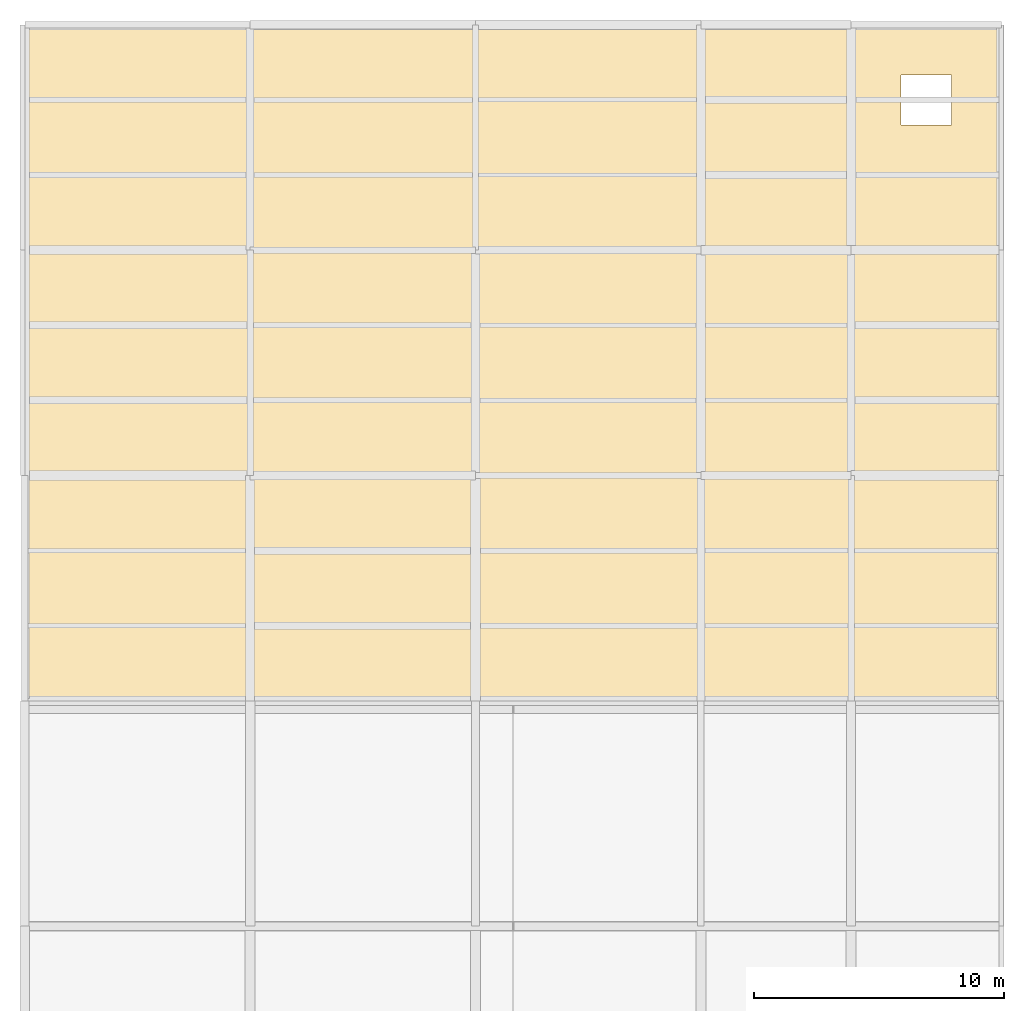
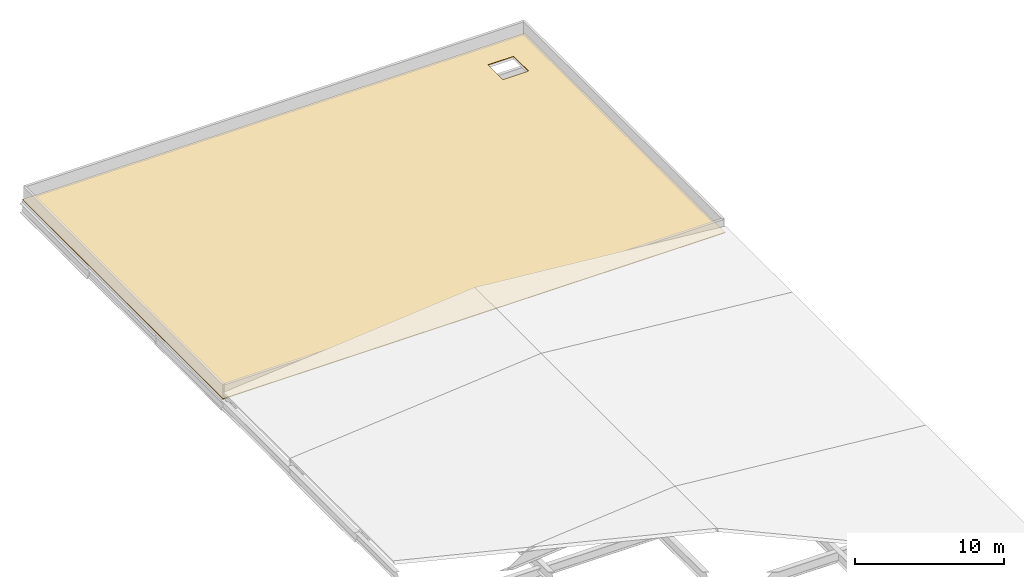
# One storey, part 3 of 3: 1 covering.
"""IFC4 building model written with IfcOpenShell, lengths in metres."""

import ifcopenshell
import ifcopenshell.guid

model = None  # the IFC model being written
_history = None  # IfcOwnerHistory: only IFC2X3 demands one
_inside = {}  # id of a spatial element -> (the spatial element, [elements in it])
_under = {}  # id of a project, library or spatial element -> (it, [spatial elements below it])
_declared = {}  # id of a project -> (the project, [libraries it declares])
_typed = {}  # id of a type object -> (the type object, [elements of that type])
_made_of = {}  # id of a material, layer set ... -> (it, [elements and type objects made of it])


def new_model(schema):
    """Start an empty IFC model of exactly this schema.

    Asked for "IFC4X3", IfcOpenShell would pick the latest addendum, in which some entities
    have other attributes; the version numbers below select the first issue.
    IFC2X3 requires an IfcOwnerHistory on every rooted entity: one is made here for all.
    """
    global model, _history
    if schema == "IFC4X3":
        model = ifcopenshell.file(schema_version=(4, 3, 0, 0))
    else:
        model = ifcopenshell.file(schema=schema)
    _inside.clear()
    _under.clear()
    _declared.clear()
    _typed.clear()
    _made_of.clear()
    _history = None
    if model.schema == "IFC2X3":
        org = make("IfcOrganization", Name="unknown")
        user = make(
            "IfcPersonAndOrganization",
            ThePerson=make("IfcPerson", FamilyName="unknown"),
            TheOrganization=org,
        )
        app = make(
            "IfcApplication",
            ApplicationDeveloper=org,
            Version="unknown",
            ApplicationFullName="unknown",
            ApplicationIdentifier="unknown",
        )
        _history = make(
            "IfcOwnerHistory",
            OwningUser=user,
            OwningApplication=app,
            ChangeAction="ADDED",
            CreationDate=0,
        )
    return model


def make(cls, **values):
    """One entity of the class cls with the attributes given. An attribute that is None is left unset."""
    return model.create_entity(
        cls, **{name: value for name, value in values.items() if value is not None}
    )


def rooted(cls, **values):
    """An entity with a GlobalId (a new one), such as an element, a storey or a relation."""
    return make(cls, GlobalId=ifcopenshell.guid.new(), OwnerHistory=_history, **values)


def si_unit(unit_type, name, prefix=None):
    """IfcSIUnit, for example si_unit("LENGTHUNIT", "METRE", prefix="MILLI")."""
    return make("IfcSIUnit", UnitType=unit_type, Prefix=prefix, Name=name)


def assignment(units):
    """IfcUnitAssignment: the units of a project."""
    return None if units is None else make("IfcUnitAssignment", Units=units)


def point(xyz):
    """IfcCartesianPoint."""
    return None if xyz is None else make("IfcCartesianPoint", Coordinates=xyz)


def direction(xyz):
    """IfcDirection."""
    return None if xyz is None else make("IfcDirection", DirectionRatios=xyz)


def frame(location, z_axis=None, x_axis=None):
    """IfcAxis2Placement3D, a coordinate frame: its origin and axes. An axis left out is left unset."""
    return make(
        "IfcAxis2Placement3D",
        Location=point(location),
        Axis=direction(z_axis),
        RefDirection=direction(x_axis),
    )


def origin():
    """The frame at (0, 0, 0) with its axes left unset."""
    return frame((0.0, 0.0, 0.0))


def place(relative_to, where):
    """IfcLocalPlacement: puts the frame where relative to a parent placement (None: the world)."""
    return make(
        "IfcLocalPlacement", PlacementRelTo=relative_to, RelativePlacement=where
    )


def context(
    kind, dimensions, precision=None, world=None, true_north=None, identifier=None
):
    """IfcGeometricRepresentationContext, for example the 3D "Model" context."""
    return make(
        "IfcGeometricRepresentationContext",
        ContextIdentifier=identifier,
        ContextType=kind,
        CoordinateSpaceDimension=dimensions,
        Precision=precision,
        WorldCoordinateSystem=world,
        TrueNorth=true_north,
    )


def subcontext(parent, identifier, kind, view, scale=None):
    """IfcGeometricRepresentationSubContext, for example "Body" below "Model"."""
    return make(
        "IfcGeometricRepresentationSubContext",
        ContextIdentifier=identifier,
        ContextType=kind,
        ParentContext=parent,
        TargetScale=scale,
        TargetView=view,
    )


def project(units=None, contexts=None):
    """IfcProject with its units and contexts."""
    return rooted(
        "IfcProject",
        Name="project",
        RepresentationContexts=contexts,
        UnitsInContext=assignment(units),
    )


def spatial(cls, under=None, at=None, **own):
    """A site, building, storey or space (cls), placed at a placement, below another one or the project."""
    s = rooted(cls, ObjectPlacement=at, **own)
    if under is not None:
        _under.setdefault(under.id(), (under, []))[1].append(s)
    return s


def polyline(points):
    """IfcPolyline through the points."""
    return make("IfcPolyline", Points=[point(p) for p in points])


def outline(outer, holes=None, kind="AREA"):
    """IfcArbitraryClosedProfileDef: a profile drawn as a closed curve; with holes, ...WithVoids."""
    if holes is None:
        return make("IfcArbitraryClosedProfileDef", ProfileType=kind, OuterCurve=outer)
    return make(
        "IfcArbitraryProfileDefWithVoids",
        ProfileType=kind,
        OuterCurve=outer,
        InnerCurves=holes,
    )


def extrude(swept, where, along, depth):
    """IfcExtrudedAreaSolid: the profile swept, set in the frame where, extruded along a direction by depth."""
    return make(
        "IfcExtrudedAreaSolid",
        SweptArea=swept,
        Position=where,
        ExtrudedDirection=direction(along),
        Depth=depth,
    )


def shape(context_of_items, identifier, shape_type, items):
    """IfcShapeRepresentation: the items that make up one representation, for example the "Body"."""
    return make(
        "IfcShapeRepresentation",
        ContextOfItems=context_of_items,
        RepresentationIdentifier=identifier,
        RepresentationType=shape_type,
        Items=items,
    )


def material(Name=None, Category=None):
    """IfcMaterial."""
    return make("IfcMaterial", Name=Name, Category=Category)


def layer(
    of_material, thickness, ventilated=None, Name=None, Category=None, Priority=None
):
    """IfcMaterialLayer: one layer of a wall or slab, of a material (None: an air gap)."""
    return make(
        "IfcMaterialLayer",
        Material=of_material,
        LayerThickness=thickness,
        IsVentilated=ventilated,
        Name=Name,
        Category=Category,
        Priority=Priority,
    )


def layer_set(layers, Name=None):
    """IfcMaterialLayerSet."""
    return make("IfcMaterialLayerSet", MaterialLayers=layers, LayerSetName=Name)


def made_of(thing, what):
    """Note that an element or type object is made of a material, layer set ...; save() writes the relation."""
    if what is not None:
        _made_of.setdefault(what.id(), (what, []))[1].append(thing)
    return thing


def type_object(cls, material=None, **own):
    """A type object (cls), such as IfcWallType, which elements share."""
    return made_of(rooted(cls, **own), material)


def element(
    cls,
    number,
    at=None,
    inside=None,
    cuts=None,
    type_object=None,
    material=None,
    context=None,
    identifier="Body",
    shape_type=None,
    held_by="IfcProductDefinitionShape",
    body=None,
    shapes=None,
    **own,
):
    """One element of the class cls, such as IfcWall. Its Tag is "e" and its number.

    at: its placement. inside: the storey or other place that contains it. cuts: it is an
    opening in that element (IfcRelVoidsElement). A single representation is given by context,
    identifier, shape_type and body (its items); several are given by shapes. held_by: the class
    of the entity that holds the representations. save() writes the other relations.
    """
    e = rooted(cls, Tag="e%d" % number, ObjectPlacement=at, **own)
    if body is not None:
        shapes = [shape(context, identifier, shape_type, body)]
    if shapes is not None:
        e.Representation = make(held_by, Representations=shapes)
    if inside is not None:
        _inside.setdefault(inside.id(), (inside, []))[1].append(e)
    if cuts is not None:
        rooted(
            "IfcRelVoidsElement", RelatingBuildingElement=cuts, RelatedOpeningElement=e
        )
    if type_object is not None:
        _typed.setdefault(type_object.id(), (type_object, []))[1].append(e)
    return made_of(e, material)


def aggregate(whole, parts):
    """IfcRelAggregates: a whole, such as a stair, and the parts it consists of."""
    return rooted("IfcRelAggregates", RelatingObject=whole, RelatedObjects=parts)


def save(model, path):
    """Write the relations noted so far, then the file.

    IfcRelAggregates (storeys below a building ...), IfcRelContainedInSpatialStructure (elements
    in a storey), IfcRelDefinesByType, IfcRelAssociatesMaterial and IfcRelDeclares: one each for
    every whole, place, type object, material and project.
    """
    for whole, parts in _under.values():
        aggregate(whole, parts)
    for where, things in _inside.values():
        rooted(
            "IfcRelContainedInSpatialStructure",
            RelatedElements=things,
            RelatingStructure=where,
        )
    for kind, things in _typed.values():
        rooted("IfcRelDefinesByType", RelatedObjects=things, RelatingType=kind)
    for what, things in _made_of.values():
        rooted("IfcRelAssociatesMaterial", RelatedObjects=things, RelatingMaterial=what)
    for by, libraries in _declared.values():
        rooted("IfcRelDeclares", RelatingContext=by, RelatedDefinitions=libraries)
    model.write(path)


model = new_model("IFC4")

# Units and contexts
model_context = context("Model", 3, precision=1e-05, world=origin(), true_north=direction((0.0, 1.0)))
body_context = subcontext(model_context, "Body", "Model", "MODEL_VIEW")
ifc_project = project(units=[si_unit("LENGTHUNIT", "METRE"), si_unit("AREAUNIT", "SQUARE_METRE"), si_unit("VOLUMEUNIT", "CUBIC_METRE"), si_unit("PLANEANGLEUNIT", "RADIAN"), si_unit("MASSUNIT", "GRAM", prefix="KILO")], contexts=[model_context])

# Site, building, storey
site_placement = place(None, origin())
site = spatial("IfcSite", under=ifc_project, at=site_placement, CompositionType="ELEMENT")
building_placement = place(site_placement, origin())
building = spatial("IfcBuilding", under=site, at=building_placement, Name="Qamarlyn Nura Convention Centre", CompositionType="ELEMENT")
storey_placement = place(building_placement, frame((0.0, 0.0, 30.0)))
storey = spatial("IfcBuildingStorey", under=building, at=storey_placement, Name="RF", CompositionType="ELEMENT", Elevation=30.0)

# Covering
ifc_material = material(Name="High-albedo TPO cool-roof membrane")
ifc_layer = layer(ifc_material, 0.050048828125, Name="COV-ROOF-TPO")
ifc_layer_set = layer_set([ifc_layer], Name="High-albedo TPO cool-roof membrane")
covering_type = type_object("IfcCoveringType", Name="COV-ROOF-TPO", PredefinedType="ROOFING", material=ifc_layer_set)
covering_placement = place(storey_placement, origin())
element("IfcCovering", 1, at=covering_placement, inside=storey, type_object=covering_type, Name="RF high-albedo TPO roof membrane ROOFSLAB-R-RF-CR1", PredefinedType="ROOFING", context=body_context, shape_type="SweptSolid", body=[
    extrude(outline(polyline([(153.0, 63.0), (153.0, 90.0), (192.0, 90.0), (192.0, 63.0), (153.0, 63.0)]), holes=[polyline([(190.0, 88.0), (188.0, 88.0), (188.0, 86.0), (190.0, 86.0), (190.0, 88.0)])]), origin(), (0.0, 0.0, 1.0), 0.050048828125),
])

save(model, "model.ifc")
